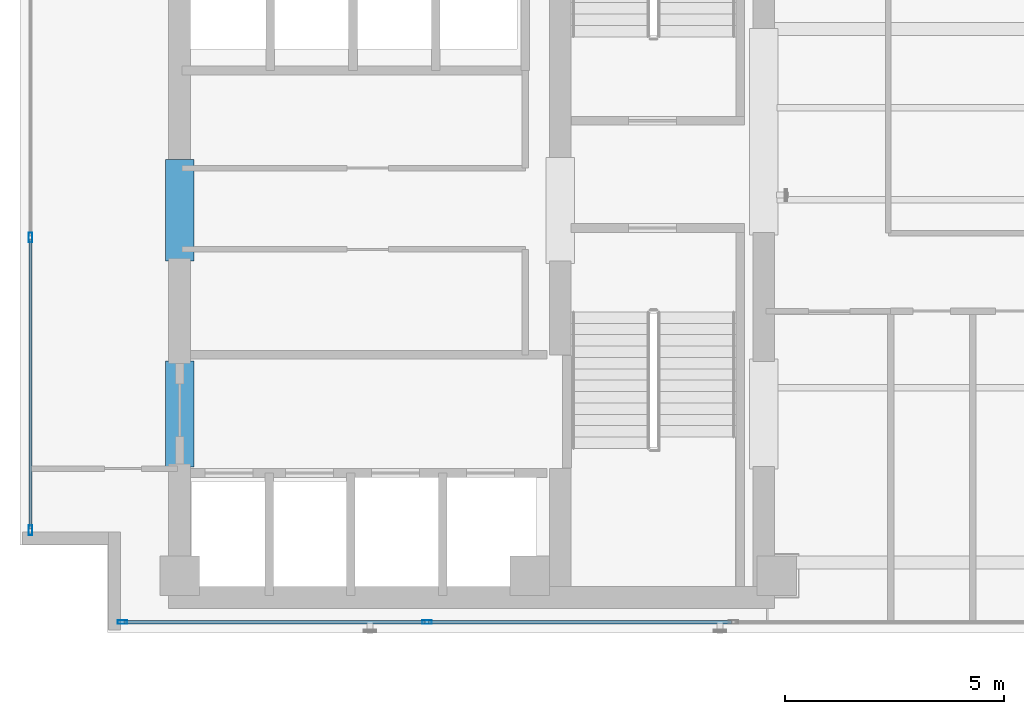
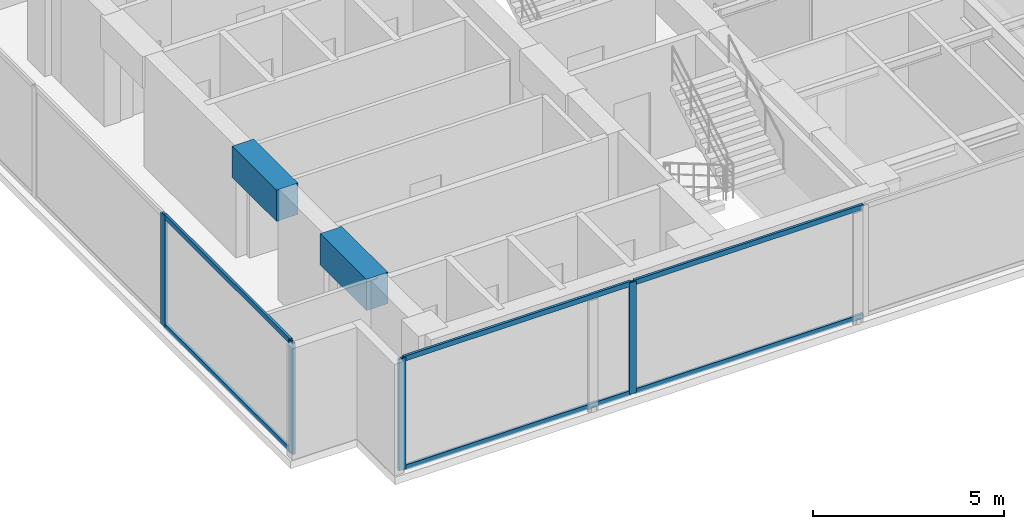
# One storey, part 2 of 22: 10 members, 2 beams, 2 elements without a shape of their own.
"""IFC4 building model written with IfcOpenShell, lengths in metres."""

from ifc_helpers import new_model, si_unit, direction, frame, origin, origin_with_axes, origin_2d, place, context, subcontext, project, spatial, rectangle, hollow_rectangle, extrude, source, transform, mapped, material, layer, layer_set, material_profile, profile_set, type_object, element, aggregate, save


model = new_model("IFC4")

# Units and contexts
model_context = context("Model", 3, precision=1e-05, world=origin(), true_north=direction((0.0, 1.0)))
body_context = subcontext(model_context, "Body", "Model", "MODEL_VIEW")
ifc_project = project(units=[si_unit("LENGTHUNIT", "METRE"), si_unit("AREAUNIT", "SQUARE_METRE"), si_unit("VOLUMEUNIT", "CUBIC_METRE"), si_unit("PLANEANGLEUNIT", "RADIAN"), si_unit("MASSUNIT", "GRAM", prefix="KILO")], contexts=[model_context])

# Site, building, storey
site_placement = place(None, origin())
site = spatial("IfcSite", under=ifc_project, at=site_placement, CompositionType="ELEMENT")
building_placement = place(site_placement, origin())
building = spatial("IfcBuilding", under=site, at=building_placement, Name="Kolvaren Waterfront Exchange", CompositionType="ELEMENT")
storey_placement = place(building_placement, frame((0.0, 0.0, 281.800048828125)))
storey = spatial("IfcBuildingStorey", under=building, at=storey_placement, Name="L72", CompositionType="ELEMENT", Elevation=281.800048828125)

# Beams
ifc_material_1 = material(Name="Concrete C60/75", Category="concrete")
ifc_material_profile_1 = material_profile(ifc_material_1, rectangle(XDim=0.64990234375, YDim=1.0, at=origin_2d()), Name="RC-CB-1000x650")
ifc_profile_set_1 = profile_set([ifc_material_profile_1], Name="Concrete C60/75")
beam_type = type_object("IfcBeamType", Name="STR-CB-1000", PredefinedType="SPANDREL", material=ifc_profile_set_1)
beam_1_placement = place(storey_placement, frame((7.449951171875, 7.389892578125, 3.06005859375), z_axis=(0.0, 1.0, 0.0), x_axis=(-1.0, 0.0, 0.0)))
element("IfcBeam", 1, at=beam_1_placement, inside=storey, type_object=beam_type, Name="L72 core coupling beam 3", PredefinedType="SPANDREL", context=body_context, shape_type="SweptSolid", body=[
    extrude(rectangle(XDim=0.64990234375, YDim=1.0, at=origin_2d()), origin(), (0.0, 0.0, 1.0), 2.420166015625),
])
beam_2_placement = place(storey_placement, frame((7.449951171875, 12.090087890625, 3.06005859375), z_axis=(0.0, 1.0, 0.0), x_axis=(-1.0, 0.0, 0.0)))
element("IfcBeam", 2, at=beam_2_placement, inside=storey, type_object=beam_type, Name="L72 core coupling beam 4", PredefinedType="SPANDREL", context=body_context, shape_type="SweptSolid", body=[
    extrude(rectangle(XDim=0.64990234375, YDim=1.0, at=origin_2d()), origin(), (0.0, 0.0, 1.0), 2.31982421875),
])

# Curtain wall, members
ifc_material_2 = material(Name="Anodised bronze aluminium 6063-T6", Category="aluminium")
ifc_layer_1 = layer(ifc_material_2, 0.219970703125, Name="Anodised bronze aluminium 6063-T6")
ifc_layer_set_1 = layer_set([ifc_layer_1], Name="Anodised bronze aluminium 6063-T6")
curtain_wall_type_1 = type_object("IfcCurtainWallType", Name="ARC-CW-SYS1", PredefinedType="USERDEFINED", material=ifc_layer_set_1)
curtain_wall_1_placement = place(storey_placement, origin())
curtain_wall_1 = element("IfcCurtainWall", 3, at=curtain_wall_1_placement, inside=storey, type_object=curtain_wall_type_1, Name="L72 stick curtain wall CW1 (CW-L72-S)", ObjectType="STICK CURTAIN WALL", PredefinedType="USERDEFINED")
ifc_material_3 = material(Name="Anodised aluminium 6063-T6", Category="aluminium")
ifc_material_profile_2 = material_profile(ifc_material_3, hollow_rectangle(XDim=0.080078125, YDim=0.219970703125, WallThickness=0.0048828125, at=origin_2d()), Name="ALU-MUL-220x80x5")
ifc_profile_set_2 = profile_set([ifc_material_profile_2], Name="Anodised aluminium 6063-T6")
member_type_1 = type_object("IfcMemberType", Name="ARC-CWM-220", PredefinedType="MULLION", material=ifc_profile_set_2)
shared_shape_1 = source(origin_with_axes(), body_context, "Body", "SweptSolid", [
    extrude(hollow_rectangle(XDim=0.080078125, YDim=0.219970703125, WallThickness=0.0048828125, at=origin_2d()), origin(), (0.0, 0.0, 1.0), 3.56005859375),
])
member_1_placement = place(storey_placement, frame((6.139892578125, 3.840087890625, 0.0), z_axis=(0.0, 0.0, 1.0), x_axis=(0.0, 1.0, 0.0)))
member_1 = element("IfcMember", 4, at=member_1_placement, type_object=member_type_1, Name="CW1 mullion 1", PredefinedType="MULLION", context=body_context, shape_type="MappedRepresentation", body=[
    mapped(shared_shape_1, transform((0.0, 0.0, 0.0), x_axis=(1.0, 0.0, 0.0), y_axis=(0.0, 1.0, 0.0), z_axis=(0.0, 0.0, 1.0), scale=1.0)),
])
member_2_placement = place(storey_placement, frame((13.1025390625, 3.840087890625, 0.0), z_axis=(0.0, 0.0, 1.0), x_axis=(0.0, 1.0, 0.0)))
member_2 = element("IfcMember", 5, at=member_2_placement, type_object=member_type_1, Name="CW1 mullion 2", PredefinedType="MULLION", context=body_context, shape_type="MappedRepresentation", body=[
    mapped(shared_shape_1, transform((0.0, 0.0, 0.0), x_axis=(1.0, 0.0, 0.0), y_axis=(0.0, 1.0, 0.0), z_axis=(0.0, 0.0, 1.0), scale=1.0)),
])

ifc_layer_2 = layer(ifc_material_3, 0.219970703125, Name="Anodised aluminium 6063-T6")
ifc_layer_set_2 = layer_set([ifc_layer_2], Name="Anodised aluminium 6063-T6")
curtain_wall_type_2 = type_object("IfcCurtainWallType", Name="ARC-CW-SYS2", PredefinedType="USERDEFINED", material=ifc_layer_set_2)
curtain_wall_2_placement = place(storey_placement, origin())
curtain_wall_2 = element("IfcCurtainWall", 6, at=curtain_wall_2_placement, inside=storey, type_object=curtain_wall_type_2, Name="L72 stick curtain wall CW2 (CW-L72-W)", ObjectType="STICK CURTAIN WALL", PredefinedType="USERDEFINED")
member_3_placement = place(storey_placement, frame((4.0400390625, 5.93994140625, 0.0), z_axis=(0.0, 0.0, 1.0), x_axis=(-1.0, 0.0, 0.0)))
member_3 = element("IfcMember", 7, at=member_3_placement, type_object=member_type_1, Name="CW2 mullion 1", PredefinedType="MULLION", context=body_context, shape_type="MappedRepresentation", body=[
    mapped(shared_shape_1, transform((0.0, 0.0, 0.0), x_axis=(1.0, 0.0, 0.0), y_axis=(0.0, 1.0, 0.0), z_axis=(0.0, 0.0, 1.0), scale=1.0)),
])
member_4_placement = place(storey_placement, frame((4.0400390625, 12.635986328125, 0.0), z_axis=(0.0, 0.0, 1.0), x_axis=(-1.0, 0.0, 0.0)))
member_4 = element("IfcMember", 8, at=member_4_placement, type_object=member_type_1, Name="CW2 mullion 2", PredefinedType="MULLION", context=body_context, shape_type="MappedRepresentation", body=[
    mapped(shared_shape_1, transform((0.0, 0.0, 0.0), x_axis=(1.0, 0.0, 0.0), y_axis=(0.0, 1.0, 0.0), z_axis=(0.0, 0.0, 1.0), scale=1.0)),
])

# Member
ifc_material_profile_3 = material_profile(ifc_material_3, hollow_rectangle(XDim=0.074951171875, YDim=0.159912109375, WallThickness=0.00439453125, at=origin_2d()), Name="ALU-TRN-160x75x4.5")
ifc_profile_set_3 = profile_set([ifc_material_profile_3], Name="Anodised aluminium 6063-T6")
member_type_2 = type_object("IfcMemberType", Name="ARC-CWT-160", PredefinedType="USERDEFINED", material=ifc_profile_set_3)
shared_shape_2 = source(origin_with_axes(), body_context, "Body", "SweptSolid", [
    extrude(hollow_rectangle(XDim=0.074951171875, YDim=0.159912109375, WallThickness=0.00439453125, at=origin_2d()), origin(), (0.0, 0.0, 1.0), 6.8828125),
])
member_5_placement = place(storey_placement, frame((6.179931640625, 3.840087890625, 0.037353515625), z_axis=(1.0, 0.0, 0.0), x_axis=(0.0, 1.0, 0.0)))
member_5 = element("IfcMember", 9, at=member_5_placement, type_object=member_type_2, Name="CW1 transom 1.1", ObjectType="TRANSOM", PredefinedType="USERDEFINED", context=body_context, shape_type="MappedRepresentation", body=[
    mapped(shared_shape_2, transform((0.0, 0.0, 0.0), x_axis=(1.0, 0.0, 0.0), y_axis=(0.0, 1.0, 0.0), z_axis=(0.0, 0.0, 1.0), scale=1.0)),
])

member_6_placement = place(storey_placement, frame((6.179931640625, 3.840087890625, 3.5224609375), z_axis=(1.0, 0.0, 0.0), x_axis=(0.0, 1.0, 0.0)))
member_6 = element("IfcMember", 10, at=member_6_placement, type_object=member_type_2, Name="CW1 transom 1.2", ObjectType="TRANSOM", PredefinedType="USERDEFINED", context=body_context, shape_type="MappedRepresentation", body=[
    mapped(shared_shape_2, transform((0.0, 0.0, 0.0), x_axis=(1.0, 0.0, 0.0), y_axis=(0.0, 1.0, 0.0), z_axis=(0.0, 0.0, 1.0), scale=1.0)),
])

shared_shape_3 = source(origin_with_axes(), body_context, "Body", "SweptSolid", [
    extrude(hollow_rectangle(XDim=0.074951171875, YDim=0.159912109375, WallThickness=0.00439453125, at=origin_2d()), origin(), (0.0, 0.0, 1.0), 6.922607421875),
])
member_7_placement = place(storey_placement, frame((13.142578125, 3.840087890625, 0.037353515625), z_axis=(1.0, 0.0, 0.0), x_axis=(0.0, 1.0, 0.0)))
member_7 = element("IfcMember", 11, at=member_7_placement, type_object=member_type_2, Name="CW1 transom 2.1", ObjectType="TRANSOM", PredefinedType="USERDEFINED", context=body_context, shape_type="MappedRepresentation", body=[
    mapped(shared_shape_3, transform((0.0, 0.0, 0.0), x_axis=(1.0, 0.0, 0.0), y_axis=(0.0, 1.0, 0.0), z_axis=(0.0, 0.0, 1.0), scale=1.0)),
])

member_8_placement = place(storey_placement, frame((13.142578125, 3.840087890625, 3.5224609375), z_axis=(1.0, 0.0, 0.0), x_axis=(0.0, 1.0, 0.0)))
member_8 = element("IfcMember", 12, at=member_8_placement, type_object=member_type_2, Name="CW1 transom 2.2", ObjectType="TRANSOM", PredefinedType="USERDEFINED", context=body_context, shape_type="MappedRepresentation", body=[
    mapped(shared_shape_3, transform((0.0, 0.0, 0.0), x_axis=(1.0, 0.0, 0.0), y_axis=(0.0, 1.0, 0.0), z_axis=(0.0, 0.0, 1.0), scale=1.0)),
])

aggregate(curtain_wall_1, [member_1, member_2, member_5, member_6, member_7, member_8])

shared_shape_4 = source(origin_with_axes(), body_context, "Body", "SweptSolid", [
    extrude(hollow_rectangle(XDim=0.074951171875, YDim=0.159912109375, WallThickness=0.00439453125, at=origin_2d()), origin(), (0.0, 0.0, 1.0), 6.615966796875),
])
member_9_placement = place(storey_placement, frame((4.0400390625, 5.97998046875, 0.037353515625), z_axis=(0.0, 1.0, 0.0), x_axis=(-1.0, 0.0, 0.0)))
member_9 = element("IfcMember", 13, at=member_9_placement, type_object=member_type_2, Name="CW2 transom 1.1", ObjectType="TRANSOM", PredefinedType="USERDEFINED", context=body_context, shape_type="MappedRepresentation", body=[
    mapped(shared_shape_4, transform((0.0, 0.0, 0.0), x_axis=(1.0, 0.0, 0.0), y_axis=(0.0, 1.0, 0.0), z_axis=(0.0, 0.0, 1.0), scale=1.0)),
])

member_10_placement = place(storey_placement, frame((4.0400390625, 5.97998046875, 3.5224609375), z_axis=(0.0, 1.0, 0.0), x_axis=(-1.0, 0.0, 0.0)))
member_10 = element("IfcMember", 14, at=member_10_placement, type_object=member_type_2, Name="CW2 transom 1.2", ObjectType="TRANSOM", PredefinedType="USERDEFINED", context=body_context, shape_type="MappedRepresentation", body=[
    mapped(shared_shape_4, transform((0.0, 0.0, 0.0), x_axis=(1.0, 0.0, 0.0), y_axis=(0.0, 1.0, 0.0), z_axis=(0.0, 0.0, 1.0), scale=1.0)),
])

aggregate(curtain_wall_2, [member_3, member_4, member_9, member_10])

save(model, "model.ifc")
